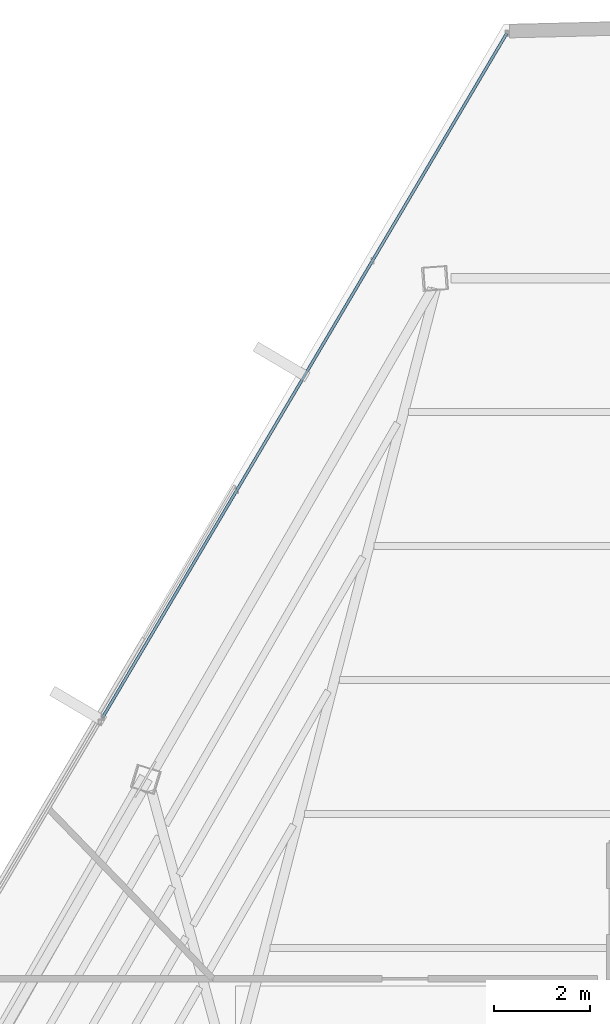
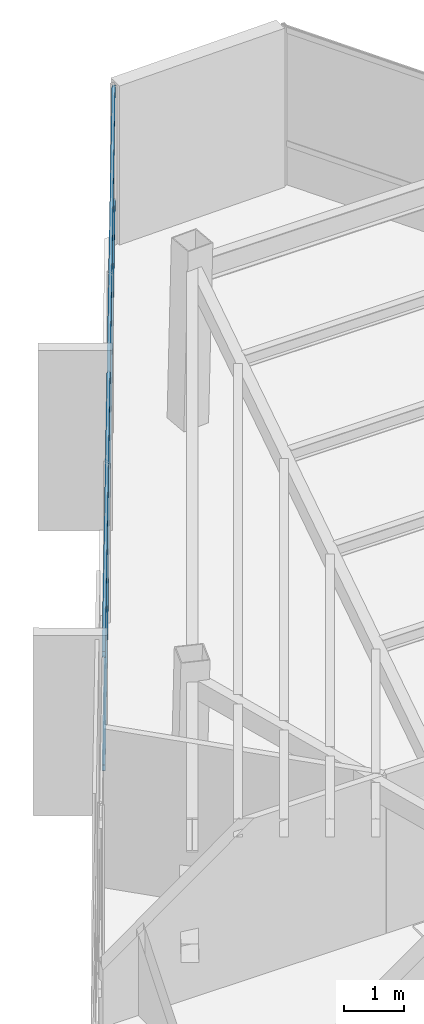
# One storey, part 33 of 44: 2 members, 1 element without a shape of its own.
"""IFC4 building model written with IfcOpenShell, lengths in metres."""

from ifc_helpers import new_model, si_unit, direction, frame, origin, origin_2d, place, context, subcontext, project, spatial, hollow_rectangle, extrude, source, transform, mapped, material, material_profile, profile_set, type_object, type_shapes, element, aggregate, save


model = new_model("IFC4")

# Units and contexts
model_context = context("Model", 3, precision=1e-05, world=origin(), true_north=direction((0.0, 1.0)))
body_context = subcontext(model_context, "Body", "Model", "MODEL_VIEW")
ifc_project = project(units=[si_unit("LENGTHUNIT", "METRE"), si_unit("AREAUNIT", "SQUARE_METRE"), si_unit("VOLUMEUNIT", "CUBIC_METRE"), si_unit("PLANEANGLEUNIT", "RADIAN"), si_unit("MASSUNIT", "GRAM", prefix="KILO")], contexts=[model_context])

# Site, building, storey
site_placement = place(None, origin())
site = spatial("IfcSite", under=ifc_project, at=site_placement, CompositionType="ELEMENT")
building_placement = place(site_placement, origin())
building = spatial("IfcBuilding", under=site, at=building_placement, Name="Caelisora Broadcast Tower", CompositionType="ELEMENT")
storey_placement = place(building_placement, frame((0.0, 0.0, 280.949951171875)))
storey = spatial("IfcBuildingStorey", under=building, at=storey_placement, Name="L74", CompositionType="ELEMENT", Elevation=280.949951171875)

# Curtain wall, members
ifc_material_1 = material(Name="Unitised Aluminium and Low-E Glass Curtain Wall", Category="glass")
curtain_wall_type = type_object("IfcCurtainWallType", Name="CW-Z5", PredefinedType="NOTDEFINED", material=ifc_material_1)
curtain_wall_placement = place(storey_placement, origin())
curtain_wall = element("IfcCurtainWall", 1, at=curtain_wall_placement, inside=storey, type_object=curtain_wall_type, Name="L74 curtain wall CW-Z5", PredefinedType="NOTDEFINED")
ifc_material_2 = material(Name="Aluminium 6063-T6 Anodised Terracotta Bronze", Category="aluminium")
ifc_material_profile = material_profile(ifc_material_2, hollow_rectangle(XDim=0.06005859375, YDim=0.1201171875, WallThickness=0.0029296875, at=origin_2d()), Name="Aluminium 6063-T6 Anodised Terracotta Bronze")
ifc_profile_set = profile_set([ifc_material_profile], Name="Aluminium 6063-T6 Anodised Terracotta Bronze")
member_type = type_object("IfcMemberType", Name="CWT-03", PredefinedType="USERDEFINED", material=ifc_profile_set)
shared_shape = source(origin(), body_context, "Body", "SweptSolid", [
    extrude(hollow_rectangle(XDim=0.06005859375, YDim=0.1201171875, WallThickness=0.0029296875, at=origin_2d()), origin(), (0.0, 0.0, 1.0), 16.53515625),
])
type_shapes(member_type, [shared_shape])
member_1_placement = place(storey_placement, frame((27.839599609375, 37.583984375, 0.85009765625), z_axis=(0.50866912032, 0.860962093262, 0.0), x_axis=(-0.860962093262, 0.50866912032, 0.0)))
member_1 = element("IfcMember", 2, at=member_1_placement, type_object=member_type, Name="L74-CW-B11 transom #1", ObjectType="TRANSOM", PredefinedType="USERDEFINED", context=body_context, shape_type="MappedRepresentation", body=[
    mapped(shared_shape, transform((0.0, 0.0, 0.0), scale=1.0)),
])
member_2_placement = place(storey_placement, frame((27.839599609375, 37.583984375, 3.170166015625), z_axis=(0.50866912032, 0.860962093262, 0.0), x_axis=(-0.860962093262, 0.50866912032, 0.0)))
member_2 = element("IfcMember", 3, at=member_2_placement, type_object=member_type, Name="L74-CW-B11 transom #2", ObjectType="TRANSOM", PredefinedType="USERDEFINED", context=body_context, shape_type="MappedRepresentation", body=[
    mapped(shared_shape, transform((0.0, 0.0, 0.0), scale=1.0)),
])
aggregate(curtain_wall, [member_1, member_2])

save(model, "model.ifc")
